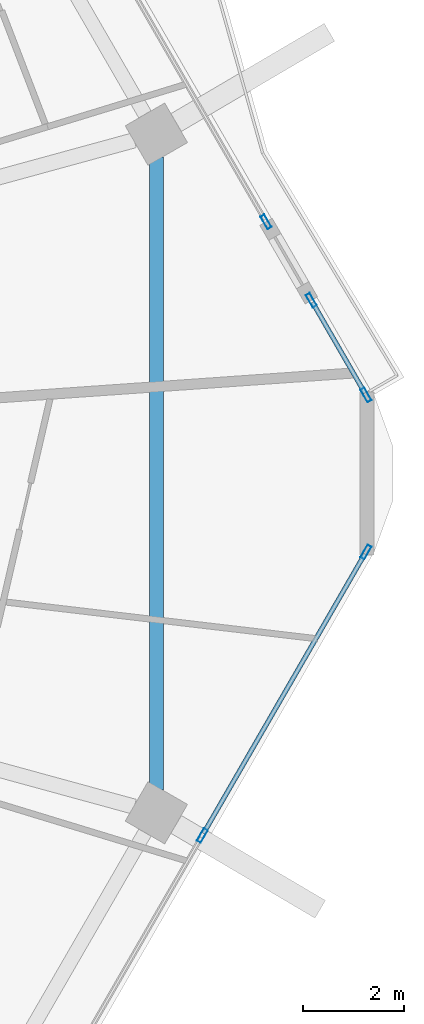
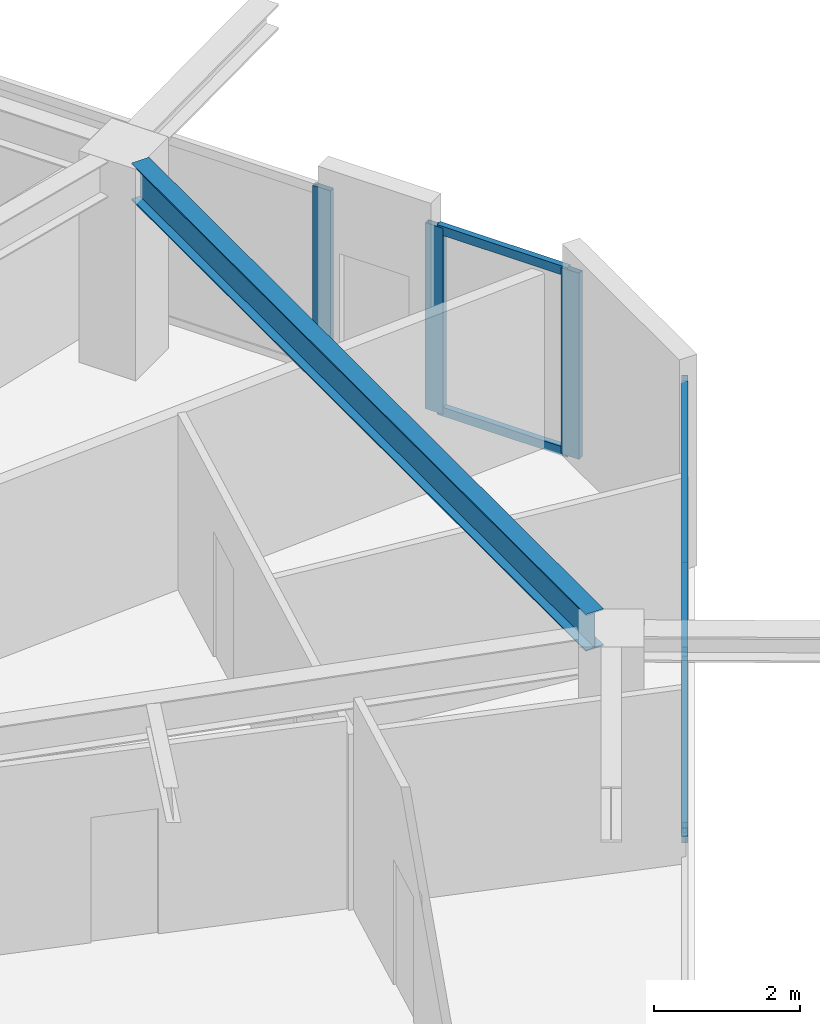
# One storey, part 10 of 26: 9 members, 1 beam, 3 elements without a shape of their own.
"""IFC4 building model written with IfcOpenShell, lengths in metres."""

from ifc_helpers import new_model, si_unit, direction, frame, origin, origin_2d, place, context, subcontext, project, spatial, hollow_rectangle, i_section, extrude, material, material_profile, profile_set, type_object, element, aggregate, save


model = new_model("IFC4")

# Units and contexts
model_context = context("Model", 3, precision=1e-05, world=origin(), true_north=direction((0.0, 1.0)))
body_context = subcontext(model_context, "Body", "Model", "MODEL_VIEW")
ifc_project = project(units=[si_unit("LENGTHUNIT", "METRE"), si_unit("AREAUNIT", "SQUARE_METRE"), si_unit("VOLUMEUNIT", "CUBIC_METRE"), si_unit("PLANEANGLEUNIT", "RADIAN"), si_unit("MASSUNIT", "GRAM", prefix="KILO")], contexts=[model_context])

# Site, building, storey
site_placement = place(None, origin())
site = spatial("IfcSite", under=ifc_project, at=site_placement, CompositionType="ELEMENT")
building_placement = place(site_placement, origin())
building = spatial("IfcBuilding", under=site, at=building_placement, Name="Zuhravey Tower", CompositionType="ELEMENT")
storey_placement = place(building_placement, frame((0.0, 0.0, 250.199951171875)))
storey = spatial("IfcBuildingStorey", under=building, at=storey_placement, Name="L63", CompositionType="ELEMENT", Elevation=250.199951171875)

# Curtain wall, members
ifc_material_1 = material(Name="Thermally broken anodised aluminium", Category="aluminium")
curtain_wall_type = type_object("IfcCurtainWallType", Name="Zone 3-4 High-Rise Curtain Wall CW4", PredefinedType="NOTDEFINED", material=ifc_material_1)
curtain_wall_1_placement = place(storey_placement, origin())
curtain_wall_1 = element("IfcCurtainWall", 1, at=curtain_wall_1_placement, inside=storey, type_object=curtain_wall_type, Name="L63 CW4 CW-L63-F6-1", PredefinedType="NOTDEFINED")
ifc_material_2 = material(Name="Anodised aluminium", Category="aluminium")
ifc_material_profile_1 = material_profile(ifc_material_2, hollow_rectangle(XDim=0.090087890625, YDim=0.284912109375, WallThickness=0.0048828125, at=origin_2d()), Name="ALU-RHS-90x285x5")
ifc_profile_set_1 = profile_set([ifc_material_profile_1], Name="Anodised aluminium")
member_type_1 = type_object("IfcMemberType", Name="Curtain-Wall Mullion 90x180", PredefinedType="MULLION", material=ifc_profile_set_1)
member_1_placement = place(storey_placement, frame((64.62255859375, 30.448486328125, 0.0), z_axis=(0.0, 0.0, 1.0), x_axis=(0.866024851021, -0.500000957414, 0.0)))
member_1 = element("IfcMember", 2, at=member_1_placement, type_object=member_type_1, Name="CW4 mullion 1", PredefinedType="MULLION", context=body_context, shape_type="SweptSolid", body=[
    extrude(hollow_rectangle(XDim=0.090087890625, YDim=0.284912109375, WallThickness=0.0048828125, at=origin_2d()), origin(), (0.0, 0.0, 1.0), 3.1220703125),
])
member_2_placement = place(storey_placement, frame((61.391845703125, 24.852783203125, 0.0), z_axis=(0.0, 0.0, 1.0), x_axis=(0.866024851021, -0.500000957414, 0.0)))
member_2 = element("IfcMember", 3, at=member_2_placement, type_object=member_type_1, Name="CW4 mullion 2", PredefinedType="MULLION", context=body_context, shape_type="SweptSolid", body=[
    extrude(hollow_rectangle(XDim=0.090087890625, YDim=0.284912109375, WallThickness=0.0048828125, at=origin_2d()), origin(), (0.0, 0.0, 1.0), 3.1220703125),
])

# Curtain wall, member
curtain_wall_2_placement = place(storey_placement, origin())
curtain_wall_2 = element("IfcCurtainWall", 4, at=curtain_wall_2_placement, inside=storey, type_object=curtain_wall_type, Name="L63 CW4 CW-L63-F1-1", PredefinedType="NOTDEFINED")
member_3_placement = place(storey_placement, frame((62.6494140625, 36.968994140625, 0.0), z_axis=(0.0, 0.0, 1.0), x_axis=(0.866025688098, 0.499999507553, 0.0)))
member_3 = element("IfcMember", 5, at=member_3_placement, type_object=member_type_1, Name="CW4 mullion 5", PredefinedType="MULLION", context=body_context, shape_type="SweptSolid", body=[
    extrude(hollow_rectangle(XDim=0.090087890625, YDim=0.284912109375, WallThickness=0.0048828125, at=origin_2d()), origin(), (0.0, 0.0, 1.0), 3.1220703125),
])
aggregate(curtain_wall_2, [member_3])

# Curtain wall, members
curtain_wall_3_placement = place(storey_placement, origin())
curtain_wall_3 = element("IfcCurtainWall", 6, at=curtain_wall_3_placement, inside=storey, type_object=curtain_wall_type, Name="L63 CW4 CW-L63-F1-2", PredefinedType="NOTDEFINED")
member_4_placement = place(storey_placement, frame((63.54443359375, 35.4189453125, 0.0), z_axis=(0.0, 0.0, 1.0), x_axis=(0.866021011429, 0.500007607705, 0.0)))
member_4 = element("IfcMember", 7, at=member_4_placement, type_object=member_type_1, Name="CW4 mullion 1", PredefinedType="MULLION", context=body_context, shape_type="SweptSolid", body=[
    extrude(hollow_rectangle(XDim=0.090087890625, YDim=0.284912109375, WallThickness=0.0048828125, at=origin_2d()), origin(), (0.0, 0.0, 1.0), 3.1220703125),
])
member_5_placement = place(storey_placement, frame((64.62255859375, 33.551513671875, 0.0), z_axis=(0.0, 0.0, 1.0), x_axis=(0.866021011429, 0.500007607705, 0.0)))
member_5 = element("IfcMember", 8, at=member_5_placement, type_object=member_type_1, Name="CW4 mullion 2", PredefinedType="MULLION", context=body_context, shape_type="SweptSolid", body=[
    extrude(hollow_rectangle(XDim=0.090087890625, YDim=0.284912109375, WallThickness=0.0048828125, at=origin_2d()), origin(), (0.0, 0.0, 1.0), 3.1220703125),
])

# Member
ifc_material_profile_2 = material_profile(ifc_material_2, hollow_rectangle(XDim=0.090087890625, YDim=0.14990234375, WallThickness=0.0048828125, at=origin_2d()), Name="ALU-RHS-90x150x5")
ifc_profile_set_2 = profile_set([ifc_material_profile_2], Name="Anodised aluminium")
member_type_2 = type_object("IfcMemberType", Name="Curtain-Wall Transom 90x150", PredefinedType="USERDEFINED", material=ifc_profile_set_2)
member_6_placement = place(storey_placement, frame((64.60009765625, 30.40966796875, 0.045166015625), z_axis=(-0.500008810174, -0.866020317169, 0.0), x_axis=(0.866020317169, -0.500008810174, 0.0)))
member_6 = element("IfcMember", 9, at=member_6_placement, type_object=member_type_2, Name="CW4 transom 1.1", ObjectType="TRANSOM", PredefinedType="USERDEFINED", context=body_context, shape_type="SweptSolid", body=[
    extrude(hollow_rectangle(XDim=0.090087890625, YDim=0.14990234375, WallThickness=0.0048828125, at=origin_2d()), origin(), (0.0, 0.0, 1.0), 6.37158203125),
])

member_7_placement = place(storey_placement, frame((64.60009765625, 30.40966796875, 3.0771484375), z_axis=(-0.500008810174, -0.866020317169, 0.0), x_axis=(0.866020317169, -0.500008810174, 0.0)))
member_7 = element("IfcMember", 10, at=member_7_placement, type_object=member_type_2, Name="CW4 transom 1.2", ObjectType="TRANSOM", PredefinedType="USERDEFINED", context=body_context, shape_type="SweptSolid", body=[
    extrude(hollow_rectangle(XDim=0.090087890625, YDim=0.14990234375, WallThickness=0.0048828125, at=origin_2d()), origin(), (0.0, 0.0, 1.0), 6.37158203125),
])

aggregate(curtain_wall_1, [member_1, member_2, member_6, member_7])

member_8_placement = place(storey_placement, frame((63.56689453125, 35.3798828125, 0.045166015625), z_axis=(0.500001996123, -0.866024251319, 0.0), x_axis=(0.866024251319, 0.500001996123, 0.0)))
member_8 = element("IfcMember", 11, at=member_8_placement, type_object=member_type_2, Name="CW4 transom 1.1", ObjectType="TRANSOM", PredefinedType="USERDEFINED", context=body_context, shape_type="SweptSolid", body=[
    extrude(hollow_rectangle(XDim=0.090087890625, YDim=0.14990234375, WallThickness=0.0048828125, at=origin_2d()), origin(), (0.0, 0.0, 1.0), 2.06640625),
])

member_9_placement = place(storey_placement, frame((63.56689453125, 35.3798828125, 3.0771484375), z_axis=(0.500001996123, -0.866024251319, 0.0), x_axis=(0.866024251319, 0.500001996123, 0.0)))
member_9 = element("IfcMember", 12, at=member_9_placement, type_object=member_type_2, Name="CW4 transom 1.2", ObjectType="TRANSOM", PredefinedType="USERDEFINED", context=body_context, shape_type="SweptSolid", body=[
    extrude(hollow_rectangle(XDim=0.090087890625, YDim=0.14990234375, WallThickness=0.0048828125, at=origin_2d()), origin(), (0.0, 0.0, 1.0), 2.06640625),
])

aggregate(curtain_wall_3, [member_4, member_5, member_8, member_9])

# Beam
ifc_material_3 = material(Name="Steel SM355", Category="steel")
ifc_material_profile_3 = material_profile(ifc_material_3, i_section(OverallWidth=0.280029296875, OverallDepth=0.6201171875, WebThickness=0.011962890625, FlangeThickness=0.02001953125, at=origin_2d()), Name="H-620x280x12x20")
ifc_profile_set_3 = profile_set([ifc_material_profile_3], Name="Steel SM355")
beam_type = type_object("IfcBeamType", Name="Perimeter Ring Beam H620x280", PredefinedType="BEAM", material=ifc_profile_set_3)
beam_placement = place(storey_placement, frame((60.484619140625, 25.754150390625, 3.239990234375), z_axis=(0.0, 1.0, 0.0), x_axis=(-1.0, 0.0, 0.0)))
element("IfcBeam", 13, at=beam_placement, inside=storey, type_object=beam_type, Name="L63 PB3 BM-L63-PB-12", PredefinedType="BEAM", context=body_context, shape_type="SweptSolid", body=[
    extrude(i_section(OverallWidth=0.280029296875, OverallDepth=0.6201171875, WebThickness=0.011962890625, FlangeThickness=0.02001953125, at=origin_2d()), origin(), (0.0, 0.0, 1.0), 12.49169921875),
])

save(model, "model.ifc")
